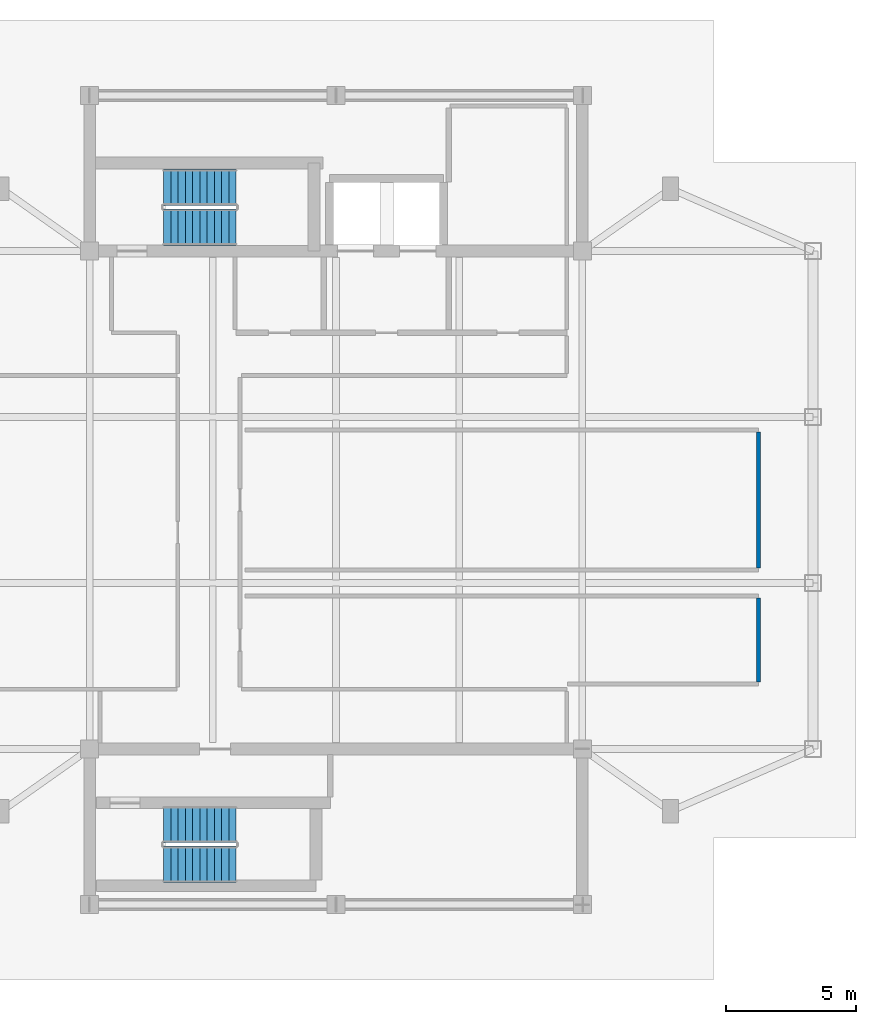
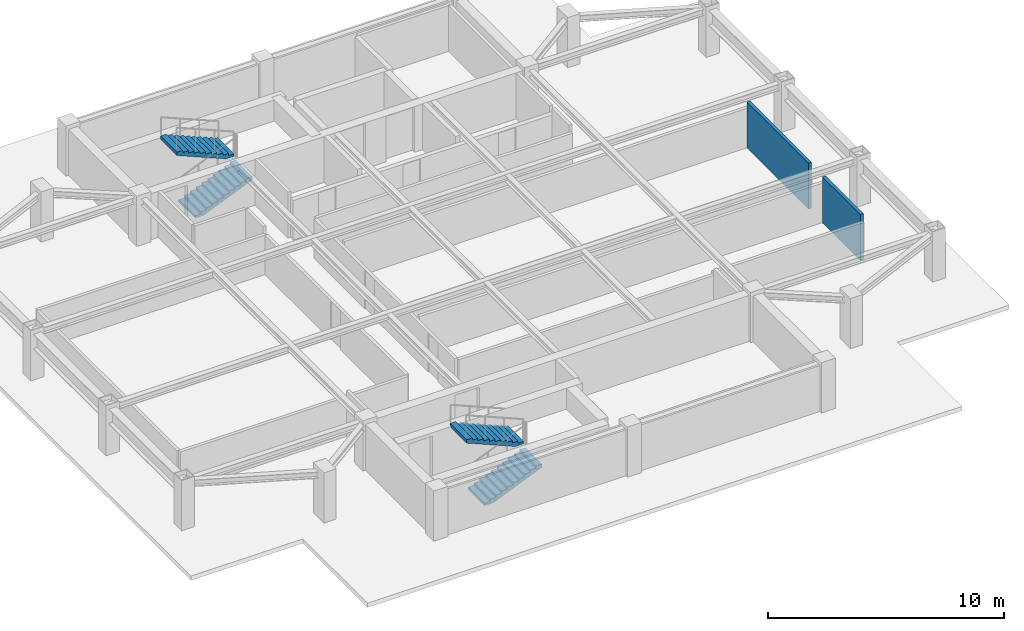
# One storey, part 3 of 4: 4 stair flights, 2 walls, 2 elements without a shape of their own.
"""IFC4 building model written with IfcOpenShell, lengths in metres."""

from ifc_helpers import new_model, si_unit, direction, frame, frame_2d, origin, place, context, subcontext, project, spatial, polyline, rectangle, outline, extrude, material, layer, layer_set, type_object, element, aggregate, save


model = new_model("IFC4")

# Units and contexts
model_context = context("Model", 3, precision=1e-05, world=origin(), true_north=direction((0.0, 1.0)))
body_context = subcontext(model_context, "Body", "Model", "MODEL_VIEW")
ifc_project = project(units=[si_unit("LENGTHUNIT", "METRE"), si_unit("AREAUNIT", "SQUARE_METRE"), si_unit("VOLUMEUNIT", "CUBIC_METRE"), si_unit("PLANEANGLEUNIT", "RADIAN"), si_unit("MASSUNIT", "GRAM", prefix="KILO")], contexts=[model_context])

# Site, building, storey
site_placement = place(None, origin())
site = spatial("IfcSite", under=ifc_project, at=site_placement, CompositionType="ELEMENT")
building_placement = place(site_placement, origin())
building = spatial("IfcBuilding", under=site, at=building_placement, Name="Mirazonda Arch Towers", CompositionType="ELEMENT")
storey_placement = place(building_placement, frame((0.0, 0.0, 266.10009765625)))
storey = spatial("IfcBuildingStorey", under=building, at=storey_placement, Name="L76", CompositionType="ELEMENT", Elevation=266.10009765625)

# Walls
ifc_material_1 = material(Name="Fire-Rated Gypsum Stud Partition")
ifc_layer = layer(ifc_material_1, 0.14990234375, Name="WALL-PART-CORR-150")
ifc_layer_set = layer_set([ifc_layer], Name="Fire-Rated Gypsum Stud Partition")
wall_type = type_object("IfcWallType", Name="WALL-PART-CORR-150", PredefinedType="PARTITIONING", material=ifc_layer_set)
wall_1_placement = place(storey_placement, frame((36.800048828125, 20.985107421875, 0.0), z_axis=(0.0, 0.0, 1.0), x_axis=(0.0, 1.0, 0.0)))
element("IfcWall", 1, at=wall_1_placement, inside=storey, type_object=wall_type, Name="L76 Interior Partition 033", PredefinedType="PARTITIONING", context=body_context, shape_type="SweptSolid", body=[
    extrude(rectangle(XDim=3.22998046875, YDim=0.14990234375, at=frame_2d((1.614990234375, 0.0))), origin(), (0.0, 0.0, 1.0), 2.3798828125),
])
wall_2_placement = place(storey_placement, frame((36.800048828125, 25.385009765625, 0.0), z_axis=(0.0, 0.0, 1.0), x_axis=(0.0, 1.0, 0.0)))
element("IfcWall", 2, at=wall_2_placement, inside=storey, type_object=wall_type, Name="L76 Interior Partition 034", PredefinedType="PARTITIONING", context=body_context, shape_type="SweptSolid", body=[
    extrude(rectangle(XDim=5.22998046875, YDim=0.14990234375, at=frame_2d((2.614990234375, 0.0))), origin(), (0.0, 0.0, 1.0), 2.3798828125),
])

# Stair, stair flights
ifc_material_2 = material(Name="Concrete C40/50", Category="concrete")
stair_type = type_object("IfcStairType", Name="STAIR-CORE-1400", PredefinedType="HALF_TURN_STAIR", material=ifc_material_2)
stair_1_placement = place(storey_placement, origin())
stair_1 = element("IfcStair", 3, at=stair_1_placement, inside=storey, type_object=stair_type, Name="L76 Protected Exit Stair ST-T1N", PredefinedType="HALF_TURN_STAIR")
stair_flight_type = type_object("IfcStairFlightType", Name="FLIGHT-1400", PredefinedType="STRAIGHT", material=ifc_material_2)
stair_flight_1_placement = place(storey_placement, frame((13.85009765625, 38.52001953125, 0.0), z_axis=(0.0, 0.0, 1.0), x_axis=(1.0, 0.0, 0.0)))
stair_flight_1 = element("IfcStairFlight", 4, at=stair_flight_1_placement, type_object=stair_flight_type, Name="ST-T1N flight 1", NumberOfRisers=11, NumberOfTreads=10, PredefinedType="STRAIGHT", RiserHeight=0.118181818, TreadLength=0.28, context=body_context, shape_type="SweptSolid", body=[
    extrude(outline(polyline([(0.0, 0.0), (0.0, 0.1181640625), (0.280029296875, 0.1181640625), (0.280029296875, 0.236328125), (0.56005859375, 0.236328125), (0.56005859375, 0.3544921875), (0.840087890625, 0.3544921875), (0.840087890625, 0.47265625), (1.1201171875, 0.47265625), (1.1201171875, 0.5908203125), (1.39990234375, 0.5908203125), (1.39990234375, 0.708984375), (1.679931640625, 0.708984375), (1.679931640625, 0.827392578125), (1.9599609375, 0.827392578125), (1.9599609375, 0.945556640625), (2.239990234375, 0.945556640625), (2.239990234375, 1.063720703125), (2.52001953125, 1.063720703125), (2.52001953125, 1.181884765625), (2.800048828125, 1.181884765625), (2.800048828125, 1.300048828125), (2.800048828125, 1.00830078125), (0.4111328125, 0.0), (0.0, 0.0)])), frame((0.0, 0.699951171875, 0.0), z_axis=(0.0, -1.0, 0.0), x_axis=(1.0, 0.0, 0.0)), (0.0, 0.0, 1.0), 1.39990234375),
])
stair_flight_2_placement = place(storey_placement, frame((16.64990234375, 40.06005859375, 1.2998046875), z_axis=(0.0, 0.0, 1.0), x_axis=(-1.0, 0.0, 0.0)))
stair_flight_2 = element("IfcStairFlight", 5, at=stair_flight_2_placement, type_object=stair_flight_type, Name="ST-T1N flight 2", NumberOfRisers=11, NumberOfTreads=10, PredefinedType="STRAIGHT", RiserHeight=0.118181818, TreadLength=0.28, context=body_context, shape_type="SweptSolid", body=[
    extrude(outline(polyline([(0.0, 0.0), (0.0, 0.1181640625), (0.280029296875, 0.1181640625), (0.280029296875, 0.236328125), (0.56005859375, 0.236328125), (0.56005859375, 0.3544921875), (0.840087890625, 0.3544921875), (0.840087890625, 0.47265625), (1.1201171875, 0.47265625), (1.1201171875, 0.5908203125), (1.39990234375, 0.5908203125), (1.39990234375, 0.708984375), (1.679931640625, 0.708984375), (1.679931640625, 0.827392578125), (1.9599609375, 0.827392578125), (1.9599609375, 0.945556640625), (2.239990234375, 0.945556640625), (2.239990234375, 1.063720703125), (2.52001953125, 1.063720703125), (2.52001953125, 1.181884765625), (2.800048828125, 1.181884765625), (2.800048828125, 1.300048828125), (2.800048828125, 1.00830078125), (0.4111328125, 0.0), (0.0, 0.0)])), frame((0.0, 0.699951171875, 0.0), z_axis=(0.0, -1.0, 0.0), x_axis=(1.0, 0.0, 0.0)), (0.0, 0.0, 1.0), 1.39990234375),
])
aggregate(stair_1, [stair_flight_1, stair_flight_2])

stair_2_placement = place(storey_placement, origin())
stair_2 = element("IfcStair", 6, at=stair_2_placement, inside=storey, type_object=stair_type, Name="L76 Protected Exit Stair ST-T1S", PredefinedType="HALF_TURN_STAIR")
stair_flight_3_placement = place(storey_placement, frame((13.85009765625, 13.949951171875, 0.0), z_axis=(0.0, 0.0, 1.0), x_axis=(1.0, 0.0, 0.0)))
stair_flight_3 = element("IfcStairFlight", 7, at=stair_flight_3_placement, type_object=stair_flight_type, Name="ST-T1S flight 1", NumberOfRisers=11, NumberOfTreads=10, PredefinedType="STRAIGHT", RiserHeight=0.118181818, TreadLength=0.28, context=body_context, shape_type="SweptSolid", body=[
    extrude(outline(polyline([(0.0, 0.0), (0.0, 0.1181640625), (0.280029296875, 0.1181640625), (0.280029296875, 0.236328125), (0.56005859375, 0.236328125), (0.56005859375, 0.3544921875), (0.840087890625, 0.3544921875), (0.840087890625, 0.47265625), (1.1201171875, 0.47265625), (1.1201171875, 0.5908203125), (1.39990234375, 0.5908203125), (1.39990234375, 0.708984375), (1.679931640625, 0.708984375), (1.679931640625, 0.827392578125), (1.9599609375, 0.827392578125), (1.9599609375, 0.945556640625), (2.239990234375, 0.945556640625), (2.239990234375, 1.063720703125), (2.52001953125, 1.063720703125), (2.52001953125, 1.181884765625), (2.800048828125, 1.181884765625), (2.800048828125, 1.300048828125), (2.800048828125, 1.00830078125), (0.4111328125, 0.0), (0.0, 0.0)])), frame((0.0, 0.699951171875, 0.0), z_axis=(0.0, -1.0, 0.0), x_axis=(1.0, 0.0, 0.0)), (0.0, 0.0, 1.0), 1.39990234375),
])
stair_flight_4_placement = place(storey_placement, frame((16.64990234375, 15.489990234375, 1.2998046875), z_axis=(0.0, 0.0, 1.0), x_axis=(-1.0, 0.0, 0.0)))
stair_flight_4 = element("IfcStairFlight", 8, at=stair_flight_4_placement, type_object=stair_flight_type, Name="ST-T1S flight 2", NumberOfRisers=11, NumberOfTreads=10, PredefinedType="STRAIGHT", RiserHeight=0.118181818, TreadLength=0.28, context=body_context, shape_type="SweptSolid", body=[
    extrude(outline(polyline([(0.0, 0.0), (0.0, 0.1181640625), (0.280029296875, 0.1181640625), (0.280029296875, 0.236328125), (0.56005859375, 0.236328125), (0.56005859375, 0.3544921875), (0.840087890625, 0.3544921875), (0.840087890625, 0.47265625), (1.1201171875, 0.47265625), (1.1201171875, 0.5908203125), (1.39990234375, 0.5908203125), (1.39990234375, 0.708984375), (1.679931640625, 0.708984375), (1.679931640625, 0.827392578125), (1.9599609375, 0.827392578125), (1.9599609375, 0.945556640625), (2.239990234375, 0.945556640625), (2.239990234375, 1.063720703125), (2.52001953125, 1.063720703125), (2.52001953125, 1.181884765625), (2.800048828125, 1.181884765625), (2.800048828125, 1.300048828125), (2.800048828125, 1.00830078125), (0.4111328125, 0.0), (0.0, 0.0)])), frame((0.0, 0.699951171875, 0.0), z_axis=(0.0, -1.0, 0.0), x_axis=(1.0, 0.0, 0.0)), (0.0, 0.0, 1.0), 1.39990234375),
])
aggregate(stair_2, [stair_flight_3, stair_flight_4])

save(model, "model.ifc")
